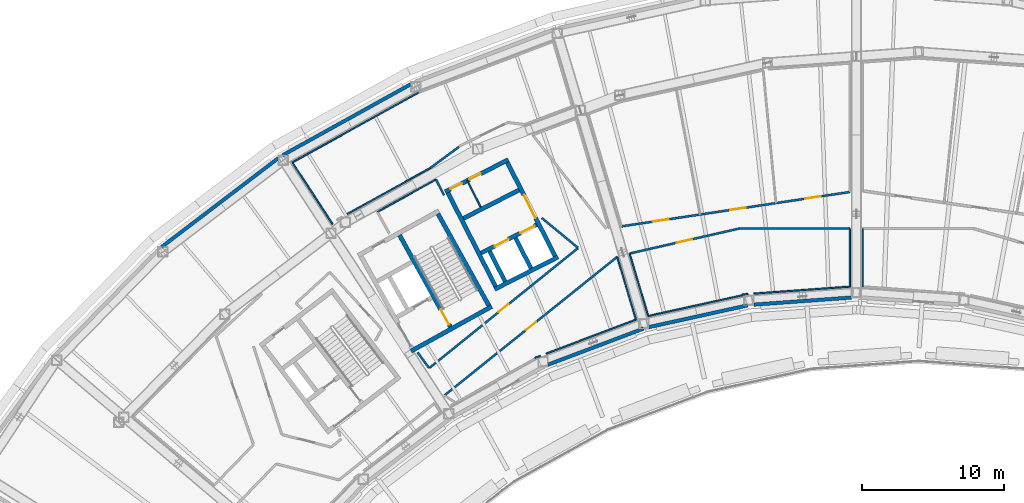
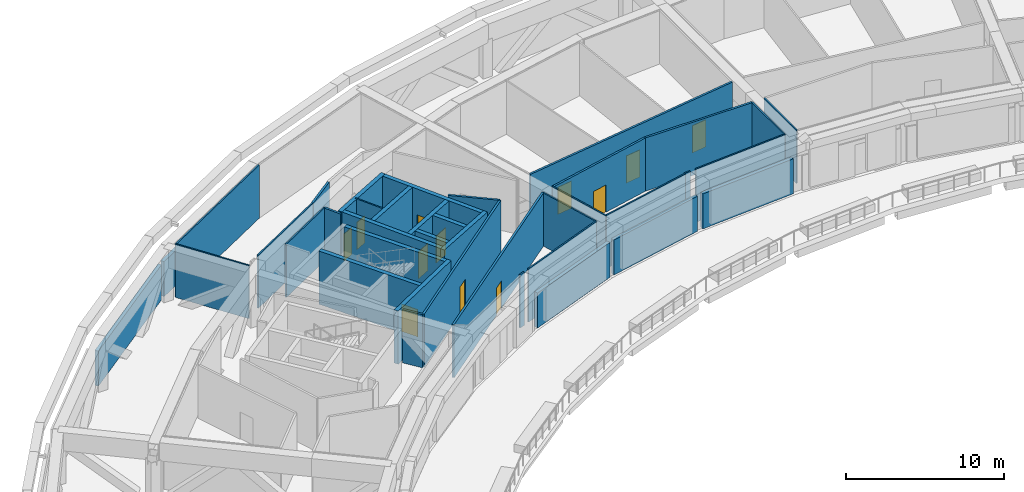
# One storey, part 8 of 26: 39 walls, 12 doors, 12 openings.
"""IFC4 building model written with IfcOpenShell, lengths in metres."""

from ifc_helpers import new_model, si_unit, direction, frame, frame_2d, origin, place, context, subcontext, project, spatial, rectangle, extrude, material, layer, layer_set, type_object, element, fill, save


model = new_model("IFC4")

# Units and contexts
model_context = context("Model", 3, precision=1e-05, world=origin(), true_north=direction((0.0, 1.0)))
body_context = subcontext(model_context, "Body", "Model", "MODEL_VIEW")
ifc_project = project(units=[si_unit("LENGTHUNIT", "METRE"), si_unit("AREAUNIT", "SQUARE_METRE"), si_unit("VOLUMEUNIT", "CUBIC_METRE"), si_unit("PLANEANGLEUNIT", "RADIAN"), si_unit("MASSUNIT", "GRAM", prefix="KILO")], contexts=[model_context])

# Site, building, storey
site_placement = place(None, origin())
site = spatial("IfcSite", under=ifc_project, at=site_placement, CompositionType="ELEMENT")
building_placement = place(site_placement, origin())
building = spatial("IfcBuilding", under=site, at=building_placement, Name="Tuul Gate Civic Tower", CompositionType="ELEMENT")
storey_placement = place(building_placement, frame((0.0, 0.0, 167.60009765625)))
storey = spatial("IfcBuildingStorey", under=building, at=storey_placement, Name="Plant and refuge floor 5", CompositionType="ELEMENT", Elevation=167.60009765625)

# Walls
ifc_material_1 = material(Name="Concrete C50/60", Category="concrete")
ifc_layer_1 = layer(ifc_material_1, 0.300048828125)
ifc_layer_set_1 = layer_set([ifc_layer_1], Name="Concrete C50/60")
wall_type_1 = type_object("IfcWallType", Name="Core wall C50/60", PredefinedType="SHEAR", material=ifc_layer_set_1)
wall_1_placement = place(storey_placement, frame((-24.711669921875, -8.7158203125, 0.0), z_axis=(0.0, 0.0, 1.0), x_axis=(-0.874629909008, -0.484791215132, 0.0)))
element("IfcWall", 1, at=wall_1_placement, inside=storey, type_object=wall_type_1, Name="Core wall", PredefinedType="SHEAR", context=body_context, shape_type="SweptSolid", body=[
    extrude(rectangle(XDim=6.5, YDim=0.300048828125, at=frame_2d((3.25, 0.0))), origin(), (0.0, 0.0, 1.0), 4.099853515625),
])
wall_2_placement = place(storey_placement, frame((-24.91552734375, -8.6572265625, 0.0), z_axis=(0.0, 0.0, 1.0), x_axis=(-0.484777133038, 0.874637714304, 0.0)))
element("IfcWall", 2, at=wall_2_placement, inside=storey, type_object=wall_type_1, Name="Core wall", PredefinedType="SHEAR", context=body_context, shape_type="SweptSolid", body=[
    extrude(rectangle(XDim=7.400146484375, YDim=0.300048828125, at=frame_2d((3.7001953125, 0.0))), origin(), (0.0, 0.0, 1.0), 4.099853515625),
])

# Wall, opening, door
wall_3_placement = place(storey_placement, frame((-27.626953125, -10.16015625, 0.0), z_axis=(0.0, 0.0, 1.0), x_axis=(-0.484751894226, 0.874651702704, 0.0)))
wall_3 = element("IfcWall", 3, at=wall_3_placement, inside=storey, type_object=wall_type_1, Name="Core wall", PredefinedType="SHEAR", context=body_context, shape_type="SweptSolid", body=[
    extrude(rectangle(XDim=7.39990234375, YDim=0.300048828125, at=frame_2d((3.699951171875, 0.0))), origin(), (0.0, 0.0, 1.0), 4.099853515625),
])
opening_1_placement = place(wall_3_placement, frame((0.199951171875, 0.0, 0.0)))
opening_1 = element("IfcOpeningElement", 4, at=opening_1_placement, cuts=wall_3, Name="Opening SD-ST-2", PredefinedType="OPENING", context=body_context, shape_type="SweptSolid", body=[
    extrude(rectangle(XDim=1.199951171875, YDim=2.10009765625, at=frame_2d((0.60009765625, 1.050048828125))), frame((0.0, 0.16015625, 0.0), z_axis=(0.0, -1.0, 0.0), x_axis=(1.0, 0.0, 0.0)), (0.0, 0.0, 1.0), 0.320068359375),
])
ifc_material_2 = material(Name="Steel", Category="steel")
door_type_1 = type_object("IfcDoorType", Name="Stair door", OperationType="NOTDEFINED", PredefinedType="DOOR", material=ifc_material_2)
door_1_placement = place(opening_1_placement, origin())
door_1 = element("IfcDoor", 5, at=door_1_placement, inside=storey, type_object=door_type_1, Name="Stair door ST-2", OperationType="SINGLE_SWING_LEFT", OverallHeight=2.10009765625, OverallWidth=1.199951171875, PredefinedType="DOOR", context=body_context, shape_type="SweptSolid", body=[
    extrude(rectangle(XDim=1.199951171875, YDim=2.10009765625, at=frame_2d((0.60009765625, 1.050048828125))), frame((0.0, 0.02490234375, 0.0), z_axis=(0.0, -1.0, 0.0), x_axis=(1.0, 0.0, 0.0)), (0.0, 0.0, 1.0), 0.050048828125),
])
fill(opening_1, door_1)

# Wall, openings, doors
ifc_material_3 = material(Name="Gypsum board partition")
ifc_layer_2 = layer(ifc_material_3, 0.14990234375)
ifc_layer_set_2 = layer_set([ifc_layer_2], Name="Gypsum board partition")
wall_type_2 = type_object("IfcWallType", Name="Corridor wall P150", PredefinedType="PARTITIONING", material=ifc_layer_set_2)
wall_4_placement = place(storey_placement, frame((-15.5654296875, -3.0712890625, 0.0), z_axis=(0.0, 0.0, 1.0), x_axis=(0.988855282118, 0.148879921507, 0.0)))
wall_4 = element("IfcWall", 6, at=wall_4_placement, inside=storey, type_object=wall_type_2, Name="p013", PredefinedType="PARTITIONING", context=body_context, shape_type="SweptSolid", body=[
    extrude(rectangle(XDim=16.286865234375, YDim=0.14990234375, at=frame_2d((8.1435546875, 0.0))), origin(), (0.0, 0.0, 1.0), 4.099853515625),
])
opening_2_placement = place(wall_4_placement, frame((13.09912109375, 0.0, 0.0)))
opening_2 = element("IfcOpeningElement", 7, at=opening_2_placement, cuts=wall_4, Name="Opening PB-D16", PredefinedType="OPENING", context=body_context, shape_type="SweptSolid", body=[
    extrude(rectangle(XDim=1.10009765625, YDim=2.10009765625, at=frame_2d((0.550048828125, 1.050048828125))), frame((0.0, 0.0849609375, 0.0), z_axis=(0.0, -1.0, 0.0), x_axis=(1.0, 0.0, 0.0)), (0.0, 0.0, 1.0), 0.169921875),
])
opening_3_placement = place(wall_4_placement, frame((7.75439453125, 0.0, 0.0)))
opening_3 = element("IfcOpeningElement", 8, at=opening_3_placement, cuts=wall_4, Name="Opening PB-D17", PredefinedType="OPENING", context=body_context, shape_type="SweptSolid", body=[
    extrude(rectangle(XDim=1.10009765625, YDim=2.10009765625, at=frame_2d((0.550048828125, 1.050048828125))), frame((0.0, 0.0849609375, 0.0), z_axis=(0.0, -1.0, 0.0), x_axis=(1.0, 0.0, 0.0)), (0.0, 0.0, 1.0), 0.169921875),
])
opening_4_placement = place(wall_4_placement, frame((2.248779296875, 0.0, 0.0)))
opening_4 = element("IfcOpeningElement", 9, at=opening_4_placement, cuts=wall_4, Name="Opening PB-D18", PredefinedType="OPENING", context=body_context, shape_type="SweptSolid", body=[
    extrude(rectangle(XDim=1.10009765625, YDim=2.10009765625, at=frame_2d((0.550048828125, 1.050048828125))), frame((0.0, 0.0849609375, 0.0), z_axis=(0.0, -1.0, 0.0), x_axis=(1.0, 0.0, 0.0)), (0.0, 0.0, 1.0), 0.169921875),
])
ifc_material_4 = material(Name="Timber door leaf", Category="wood")
door_type_2 = type_object("IfcDoorType", Name="Door D11", OperationType="NOTDEFINED", PredefinedType="DOOR", material=ifc_material_4)
door_2_placement = place(opening_2_placement, origin())
door_2 = element("IfcDoor", 10, at=door_2_placement, inside=storey, type_object=door_type_2, Name="Door PB-D16", OperationType="SINGLE_SWING_RIGHT", OverallHeight=2.10009765625, OverallWidth=1.10009765625, PredefinedType="DOOR", context=body_context, shape_type="SweptSolid", body=[
    extrude(rectangle(XDim=1.10009765625, YDim=2.10009765625, at=frame_2d((0.550048828125, 1.050048828125))), frame((0.0, 0.02490234375, 0.0), z_axis=(0.0, -1.0, 0.0), x_axis=(1.0, 0.0, 0.0)), (0.0, 0.0, 1.0), 0.050048828125),
])
fill(opening_2, door_2)
door_3_placement = place(opening_3_placement, origin())
door_3 = element("IfcDoor", 11, at=door_3_placement, inside=storey, type_object=door_type_2, Name="Door PB-D17", OperationType="SINGLE_SWING_RIGHT", OverallHeight=2.10009765625, OverallWidth=1.10009765625, PredefinedType="DOOR", context=body_context, shape_type="SweptSolid", body=[
    extrude(rectangle(XDim=1.10009765625, YDim=2.10009765625, at=frame_2d((0.550048828125, 1.050048828125))), frame((0.0, 0.02490234375, 0.0), z_axis=(0.0, -1.0, 0.0), x_axis=(1.0, 0.0, 0.0)), (0.0, 0.0, 1.0), 0.050048828125),
])
fill(opening_3, door_3)
door_4_placement = place(opening_4_placement, origin())
door_4 = element("IfcDoor", 12, at=door_4_placement, inside=storey, type_object=door_type_2, Name="Door PB-D18", OperationType="SINGLE_SWING_RIGHT", OverallHeight=2.10009765625, OverallWidth=1.10009765625, PredefinedType="DOOR", context=body_context, shape_type="SweptSolid", body=[
    extrude(rectangle(XDim=1.10009765625, YDim=2.10009765625, at=frame_2d((0.550048828125, 1.050048828125))), frame((0.0, 0.02490234375, 0.0), z_axis=(0.0, -1.0, 0.0), x_axis=(1.0, 0.0, 0.0)), (0.0, 0.0, 1.0), 0.050048828125),
])
fill(opening_4, door_4)

# Wall, opening, door
wall_5_placement = place(storey_placement, frame((-29.108642578125, -13.0537109375, 0.0), z_axis=(0.0, 0.0, 1.0), x_axis=(0.778332068825, 0.627852841546, 0.0)))
wall_5 = element("IfcWall", 13, at=wall_5_placement, inside=storey, type_object=wall_type_2, Name="p020", PredefinedType="PARTITIONING", context=body_context, shape_type="SweptSolid", body=[
    extrude(rectangle(XDim=13.451416015625, YDim=0.14990234375, at=frame_2d((6.7255859375, 0.0))), origin(), (0.0, 0.0, 1.0), 4.099853515625),
])
opening_5_placement = place(wall_5_placement, frame((6.275634765625, 0.0, 0.0)))
opening_5 = element("IfcOpeningElement", 14, at=opening_5_placement, cuts=wall_5, Name="Opening PB-D19", PredefinedType="OPENING", context=body_context, shape_type="SweptSolid", body=[
    extrude(rectangle(XDim=0.89990234375, YDim=2.10009765625, at=frame_2d((0.449951171875, 1.050048828125))), frame((0.0, 0.0849609375, 0.0), z_axis=(0.0, -1.0, 0.0), x_axis=(1.0, 0.0, 0.0)), (0.0, 0.0, 1.0), 0.169921875),
])
ifc_material_5 = material(Name="Timber door leaf", Category="wood")
door_type_3 = type_object("IfcDoorType", Name="Door D09", OperationType="NOTDEFINED", PredefinedType="DOOR", material=ifc_material_5)
door_5_placement = place(opening_5_placement, origin())
door_5 = element("IfcDoor", 15, at=door_5_placement, inside=storey, type_object=door_type_3, Name="Door PB-D19", OperationType="SINGLE_SWING_RIGHT", OverallHeight=2.10009765625, OverallWidth=0.89990234375, PredefinedType="DOOR", context=body_context, shape_type="SweptSolid", body=[
    extrude(rectangle(XDim=0.89990234375, YDim=2.10009765625, at=frame_2d((0.449951171875, 1.050048828125))), frame((0.0, 0.02490234375, 0.0), z_axis=(0.0, -1.0, 0.0), x_axis=(1.0, 0.0, 0.0)), (0.0, 0.0, 1.0), 0.050048828125),
])
fill(opening_5, door_5)

# Wall
wall_6_placement = place(storey_placement, frame((-7.2724609375, -3.225830078125, 0.0), z_axis=(0.0, 0.0, 1.0), x_axis=(0.999999999512, 3.125e-05, 0.0)))
element("IfcWall", 16, at=wall_6_placement, inside=storey, type_object=wall_type_2, Name="p041", PredefinedType="PARTITIONING", context=body_context, shape_type="SweptSolid", body=[
    extrude(rectangle(XDim=7.8125, YDim=0.14990234375, at=frame_2d((3.90625, 0.0))), origin(), (0.0, 0.0, 1.0), 4.099853515625),
])

# Wall, opening, door
wall_7_placement = place(storey_placement, frame((-14.99609375, -4.984375, 0.0), z_axis=(0.0, 0.0, 1.0), x_axis=(0.9750321839, 0.222063595302, 0.0)))
wall_7 = element("IfcWall", 17, at=wall_7_placement, inside=storey, type_object=wall_type_2, Name="p043", PredefinedType="PARTITIONING", context=body_context, shape_type="SweptSolid", body=[
    extrude(rectangle(XDim=7.9169921875, YDim=0.14990234375, at=frame_2d((3.95849609375, 0.0))), origin(), (0.0, 0.0, 1.0), 4.099853515625),
])
opening_6_placement = place(wall_7_placement, frame((3.408447265625, 0.0, 0.0)))
opening_6 = element("IfcOpeningElement", 18, at=opening_6_placement, cuts=wall_7, Name="Opening PB-D15", PredefinedType="OPENING", context=body_context, shape_type="SweptSolid", body=[
    extrude(rectangle(XDim=1.10009765625, YDim=2.10009765625, at=frame_2d((0.550048828125, 1.050048828125))), frame((0.0, 0.0849609375, 0.0), z_axis=(0.0, -1.0, 0.0), x_axis=(1.0, 0.0, 0.0)), (0.0, 0.0, 1.0), 0.169921875),
])
door_6_placement = place(opening_6_placement, frame((1.10009765625, 0.0, 0.0), z_axis=(0.0, 0.0, 1.0), x_axis=(-1.0, 0.0, 0.0)))
door_6 = element("IfcDoor", 19, at=door_6_placement, inside=storey, type_object=door_type_2, Name="Door PB-D15", OperationType="SINGLE_SWING_LEFT", OverallHeight=2.10009765625, OverallWidth=1.10009765625, PredefinedType="DOOR", context=body_context, shape_type="SweptSolid", body=[
    extrude(rectangle(XDim=1.10009765625, YDim=2.10009765625, at=frame_2d((0.550048828125, 1.050048828125))), frame((0.0, 0.02490234375, 0.0), z_axis=(0.0, -1.0, 0.0), x_axis=(1.0, 0.0, 0.0)), (0.0, 0.0, 1.0), 0.050048828125),
])
fill(opening_6, door_6)

# Walls
wall_8_placement = place(storey_placement, frame((-28.642578125, 0.23388671875, 0.0), z_axis=(0.0, 0.0, 1.0), x_axis=(0.454066023354, -0.890968038953, 0.0)))
element("IfcWall", 20, at=wall_8_placement, inside=storey, type_object=wall_type_2, Name="p047", PredefinedType="PARTITIONING", context=body_context, shape_type="SweptSolid", body=[
    extrude(rectangle(XDim=1.251708984375, YDim=0.14990234375, at=frame_2d((0.6259765625, 0.0))), origin(), (0.0, 0.0, 1.0), 4.099853515625),
])
wall_9_placement = place(storey_placement, frame((-21.183349609375, -2.482177734375, 0.0), z_axis=(0.0, 0.0, 1.0), x_axis=(0.771996515963, -0.635626761032, 0.0)))
element("IfcWall", 21, at=wall_9_placement, inside=storey, type_object=wall_type_2, Name="p048", PredefinedType="PARTITIONING", context=body_context, shape_type="SweptSolid", body=[
    extrude(rectangle(XDim=3.2958984375, YDim=0.14990234375, at=frame_2d((1.64794921875, 0.0))), origin(), (0.0, 0.0, 1.0), 4.099853515625),
])
wall_10_placement = place(storey_placement, frame((-29.94091796875, -11.957763671875, 0.0), z_axis=(0.0, 0.0, 1.0), x_axis=(0.592627626667, -0.805476564595, 0.0)))
element("IfcWall", 22, at=wall_10_placement, inside=storey, type_object=wall_type_2, Name="p049", PredefinedType="PARTITIONING", context=body_context, shape_type="SweptSolid", body=[
    extrude(rectangle(XDim=1.355712890625, YDim=0.14990234375, at=frame_2d((0.677734375, 0.0))), origin(), (0.0, 0.0, 1.0), 4.099853515625),
])

# Wall, opening, door
wall_11_placement = place(storey_placement, frame((-28.047607421875, -14.9892578125, 0.0), z_axis=(0.0, 0.0, 1.0), x_axis=(0.78008575393, 0.625672611288, 0.0)))
wall_11 = element("IfcWall", 23, at=wall_11_placement, inside=storey, type_object=wall_type_2, Name="p052", PredefinedType="PARTITIONING", context=body_context, shape_type="SweptSolid", body=[
    extrude(rectangle(XDim=15.616455078125, YDim=0.14990234375, at=frame_2d((7.80810546875, 0.0))), origin(), (0.0, 0.0, 1.0), 4.099853515625),
])
opening_7_placement = place(wall_11_placement, frame((7.358154296875, 0.0, 0.0)))
opening_7 = element("IfcOpeningElement", 24, at=opening_7_placement, cuts=wall_11, Name="Opening PB-D201", PredefinedType="OPENING", context=body_context, shape_type="SweptSolid", body=[
    extrude(rectangle(XDim=0.89990234375, YDim=2.10009765625, at=frame_2d((0.449951171875, 1.050048828125))), frame((0.0, 0.0849609375, 0.0), z_axis=(0.0, -1.0, 0.0), x_axis=(1.0, 0.0, 0.0)), (0.0, 0.0, 1.0), 0.169921875),
])
door_7_placement = place(opening_7_placement, frame((0.89990234375, 0.0, 0.0), z_axis=(0.0, 0.0, 1.0), x_axis=(-1.0, 0.0, 0.0)))
door_7 = element("IfcDoor", 25, at=door_7_placement, inside=storey, type_object=door_type_3, Name="Door PB-D20", OperationType="SINGLE_SWING_LEFT", OverallHeight=2.10009765625, OverallWidth=0.89990234375, PredefinedType="DOOR", context=body_context, shape_type="SweptSolid", body=[
    extrude(rectangle(XDim=0.89990234375, YDim=2.10009765625, at=frame_2d((0.449951171875, 1.050048828125))), frame((0.0, 0.02490234375, 0.0), z_axis=(0.0, -1.0, 0.0), x_axis=(1.0, 0.0, 0.0)), (0.0, 0.0, 1.0), 0.050048828125),
])
fill(opening_7, door_7)

# Walls
wall_12_placement = place(storey_placement, frame((-29.05126953125, 1.036376953125, 0.0), z_axis=(0.0, 0.0, 1.0), x_axis=(0.804083294005, 0.594516657717, 0.0)))
element("IfcWall", 26, at=wall_12_placement, inside=storey, type_object=wall_type_2, Name="p053", PredefinedType="PARTITIONING", context=body_context, shape_type="SweptSolid", body=[
    extrude(rectangle(XDim=2.513916015625, YDim=0.14990234375, at=frame_2d((1.2568359375, 0.0))), origin(), (0.0, 0.0, 1.0), 4.099853515625),
])
ifc_material_6 = material(Name="Precast concrete C40/50", Category="concrete")
ifc_layer_3 = layer(ifc_material_6, 0.25)
ifc_layer_set_3 = layer_set([ifc_layer_3], Name="Precast concrete C40/50")
wall_type_3 = type_object("IfcWallType", Name="External wall 2700 HIGH", PredefinedType="STANDARD", material=ifc_layer_set_3)
wall_13_placement = place(storey_placement, frame((-30.424072265625, 6.94677734375, 0.0), z_axis=(0.0, 0.0, 1.0), x_axis=(-0.874636614574, -0.484779117173, 0.0)))
element("IfcWall", 27, at=wall_13_placement, inside=storey, type_object=wall_type_3, Name="External wall", PredefinedType="STANDARD", context=body_context, shape_type="SweptSolid", body=[
    extrude(rectangle(XDim=10.321533203125, YDim=0.25, at=frame_2d((5.16064453125, 0.0))), origin(), (0.0, 0.0, 1.0), 2.699951171875),
])
wall_14_placement = place(storey_placement, frame((-39.761962890625, 1.7353515625, 0.0), z_axis=(0.0, 0.0, 1.0), x_axis=(-0.79562149507, -0.605794054595, 0.0)))
element("IfcWall", 28, at=wall_14_placement, inside=storey, type_object=wall_type_3, Name="External wall", PredefinedType="STANDARD", context=body_context, shape_type="SweptSolid", body=[
    extrude(rectangle(XDim=10.333984375, YDim=0.25, at=frame_2d((5.1669921875, 0.0))), origin(), (0.0, 0.0, 1.0), 2.699951171875),
])
wall_15_placement = place(storey_placement, frame((-20.7470703125, -12.82275390625, 0.0), z_axis=(0.0, 0.0, 1.0), x_axis=(0.935366815182, 0.353679121602, 0.0)))
element("IfcWall", 29, at=wall_15_placement, inside=storey, type_object=wall_type_3, Name="External wall", PredefinedType="STANDARD", context=body_context, shape_type="SweptSolid", body=[
    extrude(rectangle(XDim=7.20947265625, YDim=0.25, at=frame_2d((3.604736328125, 0.0))), origin(), (0.0, 0.0, 1.0), 2.699951171875),
])
wall_16_placement = place(storey_placement, frame((-13.64599609375, -10.17822265625, 0.0), z_axis=(0.0, 0.0, 1.0), x_axis=(0.976560720559, 0.215242094075, 0.0)))
element("IfcWall", 30, at=wall_16_placement, inside=storey, type_object=wall_type_3, Name="External wall", PredefinedType="STANDARD", context=body_context, shape_type="SweptSolid", body=[
    extrude(rectangle(XDim=7.151611328125, YDim=0.25, at=frame_2d((3.57568359375, 0.0))), origin(), (0.0, 0.0, 1.0), 2.699951171875),
])
wall_17_placement = place(storey_placement, frame((-6.23193359375, -8.589111328125, 0.0), z_axis=(0.0, 0.0, 1.0), x_axis=(0.997384574327, 0.072277319362, 0.0)))
element("IfcWall", 31, at=wall_17_placement, inside=storey, type_object=wall_type_3, Name="External wall", PredefinedType="STANDARD", context=body_context, shape_type="SweptSolid", body=[
    extrude(rectangle(XDim=6.904296875, YDim=0.25, at=frame_2d((3.4521484375, 0.0))), origin(), (0.0, 0.0, 1.0), 2.699951171875),
])
ifc_material_7 = material(Name="Concrete C40/50", Category="concrete")
ifc_layer_4 = layer(ifc_material_7, 0.300048828125)
ifc_layer_set_4 = layer_set([ifc_layer_4], Name="Concrete C40/50")
wall_type_4 = type_object("IfcWallType", Name="Lift shaft wall C40/50", PredefinedType="STANDARD", material=ifc_layer_set_4)
wall_18_placement = place(storey_placement, frame((-20.049072265625, -5.232421875, 0.0), z_axis=(0.0, 0.0, 1.0), x_axis=(-0.891002976909, -0.453997461601, 0.0)))
element("IfcWall", 32, at=wall_18_placement, inside=storey, type_object=wall_type_4, Name="Shaft wall", PredefinedType="STANDARD", context=body_context, shape_type="SweptSolid", body=[
    extrude(rectangle(XDim=5.0, YDim=0.300048828125, at=frame_2d((2.5, 0.0))), origin(), (0.0, 0.0, 1.0), 4.099853515625),
])

# Wall, openings, doors
wall_19_placement = place(storey_placement, frame((-21.542236328125, -2.962890625, 0.0), z_axis=(0.0, 0.0, 1.0), x_axis=(-0.891005618941, -0.453992276384, 0.0)))
wall_19 = element("IfcWall", 33, at=wall_19_placement, inside=storey, type_object=wall_type_4, Name="Shaft wall", PredefinedType="STANDARD", context=body_context, shape_type="SweptSolid", body=[
    extrude(rectangle(XDim=4.39990234375, YDim=0.300048828125, at=frame_2d((2.199951171875, 0.0))), origin(), (0.0, 0.0, 1.0), 4.099853515625),
])
opening_8_placement = place(wall_19_placement, frame((0.175048828125, 0.0, 0.0)))
opening_8 = element("IfcOpeningElement", 34, at=opening_8_placement, cuts=wall_19, Name="Opening LD-M1", PredefinedType="OPENING", context=body_context, shape_type="SweptSolid", body=[
    extrude(rectangle(XDim=1.10009765625, YDim=2.10009765625, at=frame_2d((0.550048828125, 1.050048828125))), frame((0.0, 0.16015625, 0.0), z_axis=(0.0, -1.0, 0.0), x_axis=(1.0, 0.0, 0.0)), (0.0, 0.0, 1.0), 0.320068359375),
])
opening_9_placement = place(wall_19_placement, frame((2.22509765625, 0.0, 0.0)))
opening_9 = element("IfcOpeningElement", 35, at=opening_9_placement, cuts=wall_19, Name="Opening LD-M2", PredefinedType="OPENING", context=body_context, shape_type="SweptSolid", body=[
    extrude(rectangle(XDim=1.10009765625, YDim=2.10009765625, at=frame_2d((0.550048828125, 1.050048828125))), frame((0.0, 0.16015625, 0.0), z_axis=(0.0, -1.0, 0.0), x_axis=(1.0, 0.0, 0.0)), (0.0, 0.0, 1.0), 0.320068359375),
])
ifc_material_8 = material(Name="Stainless steel", Category="steel")
door_type_4 = type_object("IfcDoorType", Name="Landing door", OperationType="DOUBLE_DOOR_SLIDING", PredefinedType="DOOR", material=ifc_material_8)
door_8_placement = place(opening_8_placement, origin())
door_8 = element("IfcDoor", 36, at=door_8_placement, inside=storey, type_object=door_type_4, Name="Mid-rise lift M1 landing door", OperationType="DOUBLE_DOOR_SLIDING", OverallHeight=2.10009765625, OverallWidth=1.10009765625, PredefinedType="DOOR", context=body_context, shape_type="SweptSolid", body=[
    extrude(rectangle(XDim=1.10009765625, YDim=2.10009765625, at=frame_2d((0.550048828125, 1.050048828125))), frame((0.0, 0.02490234375, 0.0), z_axis=(0.0, -1.0, 0.0), x_axis=(1.0, 0.0, 0.0)), (0.0, 0.0, 1.0), 0.050048828125),
])
fill(opening_8, door_8)
door_9_placement = place(opening_9_placement, origin())
door_9 = element("IfcDoor", 37, at=door_9_placement, inside=storey, type_object=door_type_4, Name="Mid-rise lift M2 landing door", OperationType="DOUBLE_DOOR_SLIDING", OverallHeight=2.10009765625, OverallWidth=1.10009765625, PredefinedType="DOOR", context=body_context, shape_type="SweptSolid", body=[
    extrude(rectangle(XDim=1.10009765625, YDim=2.10009765625, at=frame_2d((0.550048828125, 1.050048828125))), frame((0.0, 0.02490234375, 0.0), z_axis=(0.0, -1.0, 0.0), x_axis=(1.0, 0.0, 0.0)), (0.0, 0.0, 1.0), 0.050048828125),
])
fill(opening_9, door_9)

# Wall
wall_20_placement = place(storey_placement, frame((-22.790771484375, -0.5126953125, 0.0), z_axis=(0.0, 0.0, 1.0), x_axis=(-0.891005618941, -0.453992276384, 0.0)))
element("IfcWall", 38, at=wall_20_placement, inside=storey, type_object=wall_type_4, Name="Shaft wall", PredefinedType="STANDARD", context=body_context, shape_type="SweptSolid", body=[
    extrude(rectangle(XDim=4.39990234375, YDim=0.300048828125, at=frame_2d((2.199951171875, 0.0))), origin(), (0.0, 0.0, 1.0), 4.099853515625),
])

# Wall, openings, doors
wall_21_placement = place(storey_placement, frame((-23.544921875, 1.62841796875, 0.0), z_axis=(0.0, 0.0, 1.0), x_axis=(-0.891002976909, -0.453997461601, 0.0)))
wall_21 = element("IfcWall", 39, at=wall_21_placement, inside=storey, type_object=wall_type_4, Name="Shaft wall", PredefinedType="STANDARD", context=body_context, shape_type="SweptSolid", body=[
    extrude(rectangle(XDim=5.0, YDim=0.300048828125, at=frame_2d((2.5, 0.0))), origin(), (0.0, 0.0, 1.0), 4.099853515625),
])
opening_10_placement = place(wall_21_placement, frame((2.175048828125, 0.0, 0.0)))
opening_10 = element("IfcOpeningElement", 40, at=opening_10_placement, cuts=wall_21, Name="Opening PB-D33", PredefinedType="OPENING", context=body_context, shape_type="SweptSolid", body=[
    extrude(rectangle(XDim=0.89990234375, YDim=2.10009765625, at=frame_2d((0.449951171875, 1.050048828125))), frame((0.0, 0.16015625, 0.0), z_axis=(0.0, -1.0, 0.0), x_axis=(1.0, 0.0, 0.0)), (0.0, 0.0, 1.0), 0.320068359375),
])
opening_11_placement = place(wall_21_placement, frame((3.675048828125, 0.0, 0.0)))
opening_11 = element("IfcOpeningElement", 41, at=opening_11_placement, cuts=wall_21, Name="Opening PB-D34", PredefinedType="OPENING", context=body_context, shape_type="SweptSolid", body=[
    extrude(rectangle(XDim=0.89990234375, YDim=2.10009765625, at=frame_2d((0.449951171875, 1.050048828125))), frame((0.0, 0.16015625, 0.0), z_axis=(0.0, -1.0, 0.0), x_axis=(1.0, 0.0, 0.0)), (0.0, 0.0, 1.0), 0.320068359375),
])
door_10_placement = place(opening_10_placement, origin())
door_10 = element("IfcDoor", 42, at=door_10_placement, inside=storey, type_object=door_type_3, Name="Door PB-D33", OperationType="SINGLE_SWING_RIGHT", OverallHeight=2.10009765625, OverallWidth=0.89990234375, PredefinedType="DOOR", context=body_context, shape_type="SweptSolid", body=[
    extrude(rectangle(XDim=0.89990234375, YDim=2.10009765625, at=frame_2d((0.449951171875, 1.050048828125))), frame((0.0, 0.02490234375, 0.0), z_axis=(0.0, -1.0, 0.0), x_axis=(1.0, 0.0, 0.0)), (0.0, 0.0, 1.0), 0.050048828125),
])
fill(opening_10, door_10)
door_11_placement = place(opening_11_placement, origin())
door_11 = element("IfcDoor", 43, at=door_11_placement, inside=storey, type_object=door_type_3, Name="Door PB-D34", OperationType="SINGLE_SWING_LEFT", OverallHeight=2.10009765625, OverallWidth=0.89990234375, PredefinedType="DOOR", context=body_context, shape_type="SweptSolid", body=[
    extrude(rectangle(XDim=0.89990234375, YDim=2.10009765625, at=frame_2d((0.449951171875, 1.050048828125))), frame((0.0, 0.02490234375, 0.0), z_axis=(0.0, -1.0, 0.0), x_axis=(1.0, 0.0, 0.0)), (0.0, 0.0, 1.0), 0.050048828125),
])
fill(opening_11, door_11)

# Wall, opening, door
wall_22_placement = place(storey_placement, frame((-20.2509765625, -5.166748046875, 0.0), z_axis=(0.0, 0.0, 1.0), x_axis=(-0.45401029361, 0.89099643843, 0.0)))
wall_22 = element("IfcWall", 44, at=wall_22_placement, inside=storey, type_object=wall_type_4, Name="Shaft wall", PredefinedType="STANDARD", context=body_context, shape_type="SweptSolid", body=[
    extrude(rectangle(XDim=7.39990234375, YDim=0.300048828125, at=frame_2d((3.699951171875, 0.0))), origin(), (0.0, 0.0, 1.0), 4.099853515625),
])
opening_12_placement = place(wall_22_placement, frame((3.02490234375, 0.0, 0.0)))
opening_12 = element("IfcOpeningElement", 45, at=opening_12_placement, cuts=wall_22, Name="Opening LB-W3-LOBBY-1", PredefinedType="OPENING", context=body_context, shape_type="SweptSolid", body=[
    extrude(rectangle(XDim=1.800048828125, YDim=2.10009765625, at=frame_2d((0.89990234375, 1.050048828125))), frame((0.0, 0.16015625, 0.0), z_axis=(0.0, -1.0, 0.0), x_axis=(1.0, 0.0, 0.0)), (0.0, 0.0, 1.0), 0.320068359375),
])
ifc_material_9 = material(Name="Steel", Category="steel")
door_type_5 = type_object("IfcDoorType", Name="Lobby door", OperationType="DOUBLE_DOOR_SINGLE_SWING", PredefinedType="DOOR", material=ifc_material_9)
door_12_placement = place(opening_12_placement, origin())
door_12 = element("IfcDoor", 46, at=door_12_placement, inside=storey, type_object=door_type_5, Name="Lobby door W3-LOBBY", OperationType="DOUBLE_DOOR_SINGLE_SWING", OverallHeight=2.10009765625, OverallWidth=1.800048828125, PredefinedType="DOOR", context=body_context, shape_type="SweptSolid", body=[
    extrude(rectangle(XDim=1.800048828125, YDim=2.10009765625, at=frame_2d((0.89990234375, 1.050048828125))), frame((0.0, 0.02490234375, 0.0), z_axis=(0.0, -1.0, 0.0), x_axis=(1.0, 0.0, 0.0)), (0.0, 0.0, 1.0), 0.050048828125),
])
fill(opening_12, door_12)

# Walls
for number, where, z_axis, x_axis, name in (
    (47, (-21.94384765625, -6.029296875, 0.0), (0.0, 0.0, 1.0), (-0.45403702923, 0.890982814698, 0.0), "Shaft wall"),
    (48, (-23.770263671875, -6.960205078125, 0.0), (0.0, 0.0, 1.0), (-0.45399587725, 0.891003784189, 0.0), "Shaft wall"),
):
    element("IfcWall", number, at=place(storey_placement, frame(where, z_axis=z_axis, x_axis=x_axis)), inside=storey, type_object=wall_type_4, Name=name, PredefinedType="STANDARD", context=body_context, shape_type="SweptSolid", body=[
        extrude(rectangle(XDim=2.39990234375, YDim=0.300048828125, at=frame_2d((1.199951171875, 0.0))), origin(), (0.0, 0.0, 1.0), 4.099853515625),
    ])
wall_23_placement = place(storey_placement, frame((-24.438720703125, -7.300537109375, 0.0), z_axis=(0.0, 0.0, 1.0), x_axis=(-0.453984101083, 0.891009784438, 0.0)))
element("IfcWall", 49, at=wall_23_placement, inside=storey, type_object=wall_type_4, Name="Shaft wall", PredefinedType="STANDARD", context=body_context, shape_type="SweptSolid", body=[
    extrude(rectangle(XDim=7.399658203125, YDim=0.300048828125, at=frame_2d((3.69970703125, 0.0))), origin(), (0.0, 0.0, 1.0), 4.099853515625),
])
ifc_material_10 = material(Name="Gypsum board partition")
ifc_layer_5 = layer(ifc_material_10, 0.10009765625)
ifc_layer_set_5 = layer_set([ifc_layer_5], Name="Gypsum board partition")
wall_type_5 = type_object("IfcWallType", Name="Partition P100", PredefinedType="PARTITIONING", material=ifc_layer_set_5)
for number, where, z_axis, x_axis, name in (
    (50, (1.43994140625, -7.3212890625, 0.0), (0.0, 0.0, 1.0), (0.0, 1.0, 0.0), "p102"),
    (51, (0.5400390625, -3.2255859375, 0.0), (0.0, 0.0, 1.0), (0.0, -1.0, 0.0), "p103"),
):
    element("IfcWall", number, at=place(storey_placement, frame(where, z_axis=z_axis, x_axis=x_axis)), inside=storey, type_object=wall_type_5, Name=name, PredefinedType="PARTITIONING", context=body_context, shape_type="SweptSolid", body=[
        extrude(rectangle(XDim=4.095703125, YDim=0.10009765625, at=frame_2d((2.0478515625, 0.0))), origin(), (0.0, 0.0, 1.0), 4.099853515625),
    ])
wall_24_placement = place(storey_placement, frame((0.5400390625, -7.3212890625, 0.0), z_axis=(0.0, 0.0, 1.0), x_axis=(-0.997380470642, -0.072333925527, 0.0)))
element("IfcWall", 52, at=wall_24_placement, inside=storey, type_object=wall_type_5, Name="p104", PredefinedType="PARTITIONING", context=body_context, shape_type="SweptSolid", body=[
    extrude(rectangle(XDim=6.7841796875, YDim=0.10009765625, at=frame_2d((3.39208984375, 0.0))), origin(), (0.0, 0.0, 1.0), 4.099853515625),
])
wall_25_placement = place(storey_placement, frame((-6.64697265625, -7.842529296875, 0.0), z_axis=(0.0, 0.0, 1.0), x_axis=(-0.99736889202, -0.072493401296, 0.0)))
element("IfcWall", 53, at=wall_25_placement, inside=storey, type_object=wall_type_5, Name="p105", PredefinedType="PARTITIONING", context=body_context, shape_type="SweptSolid", body=[
    extrude(rectangle(XDim=0.417724609375, YDim=0.10009765625, at=frame_2d((0.208984375, 0.0))), origin(), (0.0, 0.0, 1.0), 4.099853515625),
])
wall_26_placement = place(storey_placement, frame((-7.05908203125, -7.933349609375, 0.0), z_axis=(0.0, 0.0, 1.0), x_axis=(-0.976560718972, -0.215242101274, 0.0)))
element("IfcWall", 54, at=wall_26_placement, inside=storey, type_object=wall_type_5, Name="p106", PredefinedType="PARTITIONING", context=body_context, shape_type="SweptSolid", body=[
    extrude(rectangle(XDim=6.783935546875, YDim=0.10009765625, at=frame_2d((3.39208984375, 0.0))), origin(), (0.0, 0.0, 1.0), 4.099853515625),
])
wall_27_placement = place(storey_placement, frame((-13.68408203125, -9.3935546875, 0.0), z_axis=(0.0, 0.0, 1.0), x_axis=(-0.285204841552, 0.958466586979, 0.0)))
element("IfcWall", 55, at=wall_27_placement, inside=storey, type_object=wall_type_5, Name="p107", PredefinedType="PARTITIONING", context=body_context, shape_type="SweptSolid", body=[
    extrude(rectangle(XDim=4.600341796875, YDim=0.10009765625, at=frame_2d((2.30029296875, 0.0))), origin(), (0.0, 0.0, 1.0), 4.099853515625),
])
wall_28_placement = place(storey_placement, frame((-32.775390625, -2.056884765625, 0.0), z_axis=(0.0, 0.0, 1.0), x_axis=(0.874627235215, 0.48479603899, 0.0)))
element("IfcWall", 56, at=wall_28_placement, inside=storey, type_object=wall_type_5, Name="p114", PredefinedType="PARTITIONING", context=body_context, shape_type="SweptSolid", body=[
    extrude(rectangle(XDim=4.725341796875, YDim=0.10009765625, at=frame_2d((2.36279296875, 0.0))), origin(), (0.0, 0.0, 1.0), 4.099853515625),
])
wall_29_placement = place(storey_placement, frame((-15.865478515625, -5.218505859375, 0.0), z_axis=(0.0, 0.0, 1.0), x_axis=(0.285235116511, -0.958457577731, 0.0)))
element("IfcWall", 57, at=wall_29_placement, inside=storey, type_object=wall_type_5, Name="p115", PredefinedType="PARTITIONING", context=body_context, shape_type="SweptSolid", body=[
    extrude(rectangle(XDim=4.623779296875, YDim=0.10009765625, at=frame_2d((2.31201171875, 0.0))), origin(), (0.0, 0.0, 1.0), 4.099853515625),
])
wall_30_placement = place(storey_placement, frame((-14.546630859375, -9.650146484375, 0.0), z_axis=(0.0, 0.0, 1.0), x_axis=(-0.935374761976, -0.353658104188, 0.0)))
element("IfcWall", 58, at=wall_30_placement, inside=storey, type_object=wall_type_5, Name="p116", PredefinedType="PARTITIONING", context=body_context, shape_type="SweptSolid", body=[
    extrude(rectangle(XDim=6.783935546875, YDim=0.10009765625, at=frame_2d((3.39208984375, 0.0))), origin(), (0.0, 0.0, 1.0), 4.099853515625),
])
wall_31_placement = place(storey_placement, frame((-21.28662109375, -12.198486328125, 0.0), z_axis=(0.0, 0.0, 1.0), x_axis=(-0.93529148989, -0.353878268532, 0.0)))
element("IfcWall", 59, at=wall_31_placement, inside=storey, type_object=wall_type_5, Name="p117", PredefinedType="PARTITIONING", context=body_context, shape_type="SweptSolid", body=[
    extrude(rectangle(XDim=0.41748046875, YDim=0.10009765625, at=frame_2d((0.208740234375, 0.0))), origin(), (0.0, 0.0, 1.0), 4.099853515625),
])
wall_32_placement = place(storey_placement, frame((-29.05126953125, 1.036376953125, 0.0), z_axis=(0.0, 0.0, 1.0), x_axis=(-0.874624826994, -0.48480038367, 0.0)))
element("IfcWall", 60, at=wall_32_placement, inside=storey, type_object=wall_type_5, Name="p120", PredefinedType="PARTITIONING", context=body_context, shape_type="SweptSolid", body=[
    extrude(rectangle(XDim=6.693603515625, YDim=0.10009765625, at=frame_2d((3.3466796875, 0.0))), origin(), (0.0, 0.0, 1.0), 4.099853515625),
])
wall_33_placement = place(storey_placement, frame((-35.931884765625, -2.913818359375, 0.0), z_axis=(0.0, 0.0, 1.0), x_axis=(-0.546710871336, 0.837321457484, 0.0)))
element("IfcWall", 61, at=wall_33_placement, inside=storey, type_object=wall_type_5, Name="p122", PredefinedType="PARTITIONING", context=body_context, shape_type="SweptSolid", body=[
    extrude(rectangle(XDim=5.192626953125, YDim=0.10009765625, at=frame_2d((2.59619140625, 0.0))), origin(), (0.0, 0.0, 1.0), 4.099853515625),
])
wall_34_placement = place(storey_placement, frame((-38.770751953125, 1.43408203125, 0.0), z_axis=(0.0, 0.0, 1.0), x_axis=(0.874592147734, 0.484859335397, 0.0)))
element("IfcWall", 62, at=wall_34_placement, inside=storey, type_object=wall_type_5, Name="p123", PredefinedType="PARTITIONING", context=body_context, shape_type="SweptSolid", body=[
    extrude(rectangle(XDim=10.16064453125, YDim=0.10009765625, at=frame_2d((5.080322265625, 0.0))), origin(), (0.0, 0.0, 1.0), 4.099853515625),
])
wall_35_placement = place(storey_placement, frame((-25.4873046875, -1.71826171875, 0.0), z_axis=(0.0, 0.0, 1.0), x_axis=(-0.453990218702, 0.891006667384, 0.0)))
element("IfcWall", 63, at=wall_35_placement, inside=storey, type_object=wall_type_5, Name="bW3-BAND-0", PredefinedType="PARTITIONING", context=body_context, shape_type="SweptSolid", body=[
    extrude(rectangle(XDim=2.10009765625, YDim=0.10009765625, at=frame_2d((1.050048828125, 0.0))), origin(), (0.0, 0.0, 1.0), 4.099853515625),
])

save(model, "model.ifc")
